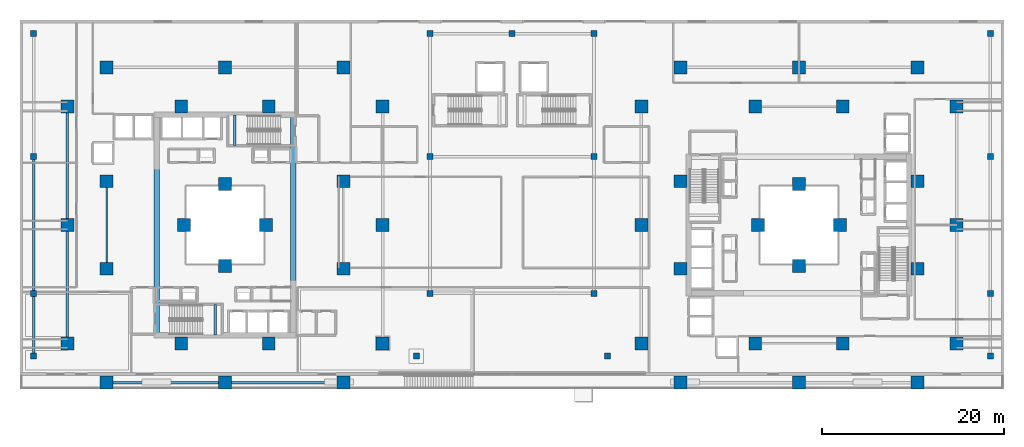
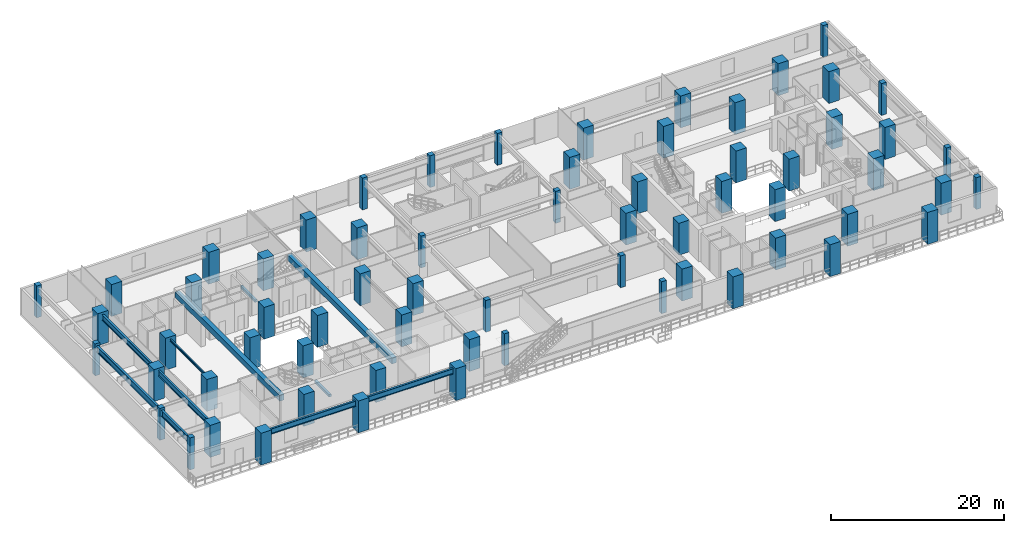
# One storey, part 1 of 22: 65 columns, 11 beams.
"""IFC4 building model written with IfcOpenShell, lengths in metres."""

from ifc_helpers import new_model, si_unit, direction, frame, origin, origin_2d, place, context, subcontext, project, spatial, rectangle, i_section, extrude, material, material_profile, profile_set, type_object, element, save


model = new_model("IFC4")

# Units and contexts
model_context = context("Model", 3, precision=1e-05, world=origin(), true_north=direction((0.0, 1.0)))
body_context = subcontext(model_context, "Body", "Model", "MODEL_VIEW")
ifc_project = project(units=[si_unit("LENGTHUNIT", "METRE"), si_unit("AREAUNIT", "SQUARE_METRE"), si_unit("VOLUMEUNIT", "CUBIC_METRE"), si_unit("PLANEANGLEUNIT", "RADIAN"), si_unit("MASSUNIT", "GRAM", prefix="KILO")], contexts=[model_context])

# Site, building, storey
site_placement = place(None, origin())
site = spatial("IfcSite", under=ifc_project, at=site_placement, CompositionType="ELEMENT")
building_placement = place(site_placement, origin())
building = spatial("IfcBuilding", under=site, at=building_placement, Name="Thornwick Lancets Civic Towers", CompositionType="ELEMENT")
storey_placement = place(building_placement, frame((0.0, 0.0, 18.60009765625)))
storey = spatial("IfcBuildingStorey", under=building, at=storey_placement, Name="L04", CompositionType="ELEMENT", Elevation=18.60009765625)

# Columns
ifc_material_1 = material(Name="Concrete C60/75", Category="concrete")
ifc_material_profile_1 = material_profile(ifc_material_1, rectangle(XDim=1.39990234375, YDim=1.39990234375, at=origin_2d()), Name="RC 1400x1400")
ifc_profile_set_1 = profile_set([ifc_material_profile_1], Name="Concrete C60/75")
column_type_1 = type_object("IfcColumnType", Name="COL_RC_1400", PredefinedType="COLUMN", material=ifc_profile_set_1)
for number, where, z_axis, x_axis, name in (
    (1, (12.5, 9.699951171875, 0.0), (0.0, 0.0, 1.0), (1.0, 0.0, 0.0), "L04 Spine Mega-Column A01"),
    (2, (25.5, 9.699951171875, 0.0), (0.0, 0.0, 1.0), (1.0, 0.0, 0.0), "L04 Spine Mega-Column A02"),
    (3, (38.5, 9.699951171875, 0.0), (0.0, 0.0, 1.0), (1.0, 0.0, 0.0), "L04 Spine Mega-Column A03"),
    (4, (42.800048828125, 14.0, 0.0), (0.0, 0.0, 1.0), (1.0, 0.0, 0.0), "L04 Spine Mega-Column A04"),
    (5, (42.800048828125, 27.0, 0.0), (0.0, 0.0, 1.0), (1.0, 0.0, 0.0), "L04 Spine Mega-Column A05"),
    (6, (42.800048828125, 40.0, 0.0), (0.0, 0.0, 1.0), (1.0, 0.0, 0.0), "L04 Spine Mega-Column A06"),
    (7, (12.5, 44.300048828125, 0.0), (0.0, 0.0, 1.0), (1.0, 0.0, 0.0), "L04 Spine Mega-Column A07"),
    (8, (25.5, 44.300048828125, 0.0), (0.0, 0.0, 1.0), (1.0, 0.0, 0.0), "L04 Spine Mega-Column A08"),
    (9, (38.5, 44.300048828125, 0.0), (0.0, 0.0, 1.0), (1.0, 0.0, 0.0), "L04 Spine Mega-Column A09"),
    (10, (8.199951171875, 14.0, 0.0), (0.0, 0.0, 1.0), (1.0, 0.0, 0.0), "L04 Spine Mega-Column A10"),
    (11, (8.199951171875, 27.0, 0.0), (0.0, 0.0, 1.0), (1.0, 0.0, 0.0), "L04 Spine Mega-Column A11"),
    (12, (8.199951171875, 40.0, 0.0), (0.0, 0.0, 1.0), (1.0, 0.0, 0.0), "L04 Spine Mega-Column A12"),
    (13, (12.5, 22.199951171875, 0.0), (0.0, 0.0, 1.0), (1.0, 0.0, 0.0), "L04 Spine Mega-Column A13"),
    (14, (38.5, 22.199951171875, 0.0), (0.0, 0.0, 1.0), (1.0, 0.0, 0.0), "L04 Spine Mega-Column A14"),
    (15, (12.5, 31.800048828125, 0.0), (0.0, 0.0, 1.0), (1.0, 0.0, 0.0), "L04 Spine Mega-Column A15"),
    (16, (38.5, 31.800048828125, 0.0), (0.0, 0.0, 1.0), (1.0, 0.0, 0.0), "L04 Spine Mega-Column A16"),
    (17, (20.699951171875, 14.0, 0.0), (0.0, 0.0, 1.0), (1.0, 0.0, 0.0), "L04 Spine Mega-Column A17"),
    (18, (30.300048828125, 14.0, 0.0), (0.0, 0.0, 1.0), (1.0, 0.0, 0.0), "L04 Spine Mega-Column A18"),
    (19, (20.699951171875, 40.0, 0.0), (0.0, 0.0, 1.0), (1.0, 0.0, 0.0), "L04 Spine Mega-Column A19"),
    (20, (30.300048828125, 40.0, 0.0), (0.0, 0.0, 1.0), (1.0, 0.0, 0.0), "L04 Spine Mega-Column A20"),
    (21, (25.5, 22.5, 0.0), (0.0, 0.0, 1.0), (1.0, 0.0, 0.0), "L04 Spine Mega-Column A21"),
    (22, (25.5, 31.5, 0.0), (0.0, 0.0, 1.0), (1.0, 0.0, 0.0), "L04 Spine Mega-Column A22"),
    (23, (21.0, 27.0, 0.0), (0.0, 0.0, 1.0), (1.0, 0.0, 0.0), "L04 Spine Mega-Column A23"),
    (24, (30.0, 27.0, 0.0), (0.0, 0.0, 1.0), (1.0, 0.0, 0.0), "L04 Spine Mega-Column A24"),
    (25, (105.800048828125, 14.0, 0.0), (0.0, 0.0, 1.0), (1.0, 0.0, 0.0), "L04 Spine Mega-Column B01"),
    (26, (105.800048828125, 27.0, 0.0), (0.0, 0.0, 1.0), (1.0, 0.0, 0.0), "L04 Spine Mega-Column B02"),
    (27, (105.800048828125, 40.0, 0.0), (0.0, 0.0, 1.0), (1.0, 0.0, 0.0), "L04 Spine Mega-Column B03"),
    (28, (101.5, 44.300048828125, 0.0), (0.0, 0.0, 1.0), (1.0, 0.0, 0.0), "L04 Spine Mega-Column B04"),
    (29, (88.5, 44.300048828125, 0.0), (0.0, 0.0, 1.0), (1.0, 0.0, 0.0), "L04 Spine Mega-Column B05"),
    (30, (75.5, 44.300048828125, 0.0), (0.0, 0.0, 1.0), (1.0, 0.0, 0.0), "L04 Spine Mega-Column B06"),
    (31, (71.199951171875, 14.0, 0.0), (0.0, 0.0, 1.0), (1.0, 0.0, 0.0), "L04 Spine Mega-Column B07"),
    (32, (71.199951171875, 27.0, 0.0), (0.0, 0.0, 1.0), (1.0, 0.0, 0.0), "L04 Spine Mega-Column B08"),
    (33, (71.199951171875, 40.0, 0.0), (0.0, 0.0, 1.0), (1.0, 0.0, 0.0), "L04 Spine Mega-Column B09"),
    (34, (101.5, 9.699951171875, 0.0), (0.0, 0.0, 1.0), (1.0, 0.0, 0.0), "L04 Spine Mega-Column B10"),
    (35, (88.5, 9.699951171875, 0.0), (0.0, 0.0, 1.0), (1.0, 0.0, 0.0), "L04 Spine Mega-Column B11"),
    (36, (75.5, 9.699951171875, 0.0), (0.0, 0.0, 1.0), (1.0, 0.0, 0.0), "L04 Spine Mega-Column B12"),
    (37, (93.300048828125, 14.0, 0.0), (0.0, 0.0, 1.0), (1.0, 0.0, 0.0), "L04 Spine Mega-Column B13"),
    (38, (93.300048828125, 40.0, 0.0), (0.0, 0.0, 1.0), (1.0, 0.0, 0.0), "L04 Spine Mega-Column B14"),
    (39, (83.699951171875, 14.0, 0.0), (0.0, 0.0, 1.0), (1.0, 0.0, 0.0), "L04 Spine Mega-Column B15"),
    (40, (83.699951171875, 40.0, 0.0), (0.0, 0.0, 1.0), (1.0, 0.0, 0.0), "L04 Spine Mega-Column B16"),
    (41, (101.5, 22.199951171875, 0.0), (0.0, 0.0, 1.0), (1.0, 0.0, 0.0), "L04 Spine Mega-Column B17"),
    (42, (101.5, 31.800048828125, 0.0), (0.0, 0.0, 1.0), (1.0, 0.0, 0.0), "L04 Spine Mega-Column B18"),
    (43, (75.5, 22.199951171875, 0.0), (0.0, 0.0, 1.0), (1.0, 0.0, 0.0), "L04 Spine Mega-Column B19"),
    (44, (75.5, 31.800048828125, 0.0), (0.0, 0.0, 1.0), (1.0, 0.0, 0.0), "L04 Spine Mega-Column B20"),
    (45, (93.0, 27.0, 0.0), (0.0, 0.0, 1.0), (1.0, 0.0, 0.0), "L04 Spine Mega-Column B21"),
    (46, (84.0, 27.0, 0.0), (0.0, 0.0, 1.0), (1.0, 0.0, 0.0), "L04 Spine Mega-Column B22"),
    (47, (88.5, 22.5, 0.0), (0.0, 0.0, 1.0), (1.0, 0.0, 0.0), "L04 Spine Mega-Column B23"),
    (48, (88.5, 31.5, 0.0), (0.0, 0.0, 1.0), (1.0, 0.0, 0.0), "L04 Spine Mega-Column B24"),
):
    element("IfcColumn", number, at=place(storey_placement, frame(where, z_axis=z_axis, x_axis=x_axis)), inside=storey, type_object=column_type_1, Name=name, PredefinedType="COLUMN", context=body_context, shape_type="SweptSolid", body=[
        extrude(rectangle(XDim=1.39990234375, YDim=1.39990234375, at=origin_2d()), origin(), (0.0, 0.0, 1.0), 4.5),
    ])
ifc_material_2 = material(Name="Concrete C40/50", Category="concrete")
ifc_material_profile_2 = material_profile(ifc_material_2, rectangle(XDim=0.64990234375, YDim=0.64990234375, at=origin_2d()), Name="RC 650x650")
ifc_profile_set_2 = profile_set([ifc_material_profile_2], Name="Concrete C40/50")
column_type_2 = type_object("IfcColumnType", Name="COL_RC_650", PredefinedType="COLUMN", material=ifc_profile_set_2)
for number, where, z_axis, x_axis, name in (
    (49, (4.5, 12.60009765625, 0.0), (0.0, 0.0, 1.0), (1.0, 0.0, 0.0), "L04 Podium Column P07"),
    (50, (46.5, 12.60009765625, 0.0), (0.0, 0.0, 1.0), (1.0, 0.0, 0.0), "L04 Podium Column P08"),
    (51, (67.5, 12.60009765625, 0.0), (0.0, 0.0, 1.0), (1.0, 0.0, 0.0), "L04 Podium Column P09"),
    (52, (109.5, 12.60009765625, 0.0), (0.0, 0.0, 1.0), (1.0, 0.0, 0.0), "L04 Podium Column P10"),
    (53, (4.5, 19.5, 0.0), (0.0, 0.0, 1.0), (1.0, 0.0, 0.0), "L04 Podium Column P11"),
    (54, (4.5, 34.5, 0.0), (0.0, 0.0, 1.0), (1.0, 0.0, 0.0), "L04 Podium Column P12"),
    (55, (4.5, 48.0, 0.0), (0.0, 0.0, 1.0), (1.0, 0.0, 0.0), "L04 Podium Column P13"),
    (56, (48.0, 19.5, 0.0), (0.0, 0.0, 1.0), (1.0, 0.0, 0.0), "L04 Podium Column P14"),
    (57, (66.0, 19.5, 0.0), (0.0, 0.0, 1.0), (1.0, 0.0, 0.0), "L04 Podium Column P15"),
    (58, (48.0, 34.5, 0.0), (0.0, 0.0, 1.0), (1.0, 0.0, 0.0), "L04 Podium Column P16"),
    (59, (66.0, 34.5, 0.0), (0.0, 0.0, 1.0), (1.0, 0.0, 0.0), "L04 Podium Column P17"),
    (60, (48.0, 48.0, 0.0), (0.0, 0.0, 1.0), (1.0, 0.0, 0.0), "L04 Podium Column P18"),
    (61, (57.0, 48.0, 0.0), (0.0, 0.0, 1.0), (1.0, 0.0, 0.0), "L04 Podium Column P19"),
    (62, (66.0, 48.0, 0.0), (0.0, 0.0, 1.0), (1.0, 0.0, 0.0), "L04 Podium Column P20"),
    (63, (109.5, 19.5, 0.0), (0.0, 0.0, 1.0), (1.0, 0.0, 0.0), "L04 Podium Column P21"),
    (64, (109.5, 34.5, 0.0), (0.0, 0.0, 1.0), (1.0, 0.0, 0.0), "L04 Podium Column P22"),
    (65, (109.5, 48.0, 0.0), (0.0, 0.0, 1.0), (1.0, 0.0, 0.0), "L04 Podium Column P23"),
):
    element("IfcColumn", number, at=place(storey_placement, frame(where, z_axis=z_axis, x_axis=x_axis)), inside=storey, type_object=column_type_2, Name=name, PredefinedType="COLUMN", context=body_context, shape_type="SweptSolid", body=[
        extrude(rectangle(XDim=0.64990234375, YDim=0.64990234375, at=origin_2d()), origin(), (0.0, 0.0, 1.0), 4.5),
    ])

# Beams
ifc_material_profile_3 = material_profile(ifc_material_1, rectangle(XDim=0.60009765625, YDim=0.800048828125, at=origin_2d()), Name="RC 600x800")
ifc_profile_set_3 = profile_set([ifc_material_profile_3], Name="Concrete C60/75")
beam_type_1 = type_object("IfcBeamType", Name="BM_COUP_RC800", PredefinedType="BEAM", material=ifc_profile_set_3)
for number, where, z_axis, x_axis, name in (
    (66, (33.0, 14.89990234375, 3.77978515625), (0.0, 1.0, 0.0), (-1.0, 0.0, 0.0), "CB-L04-A1"),
    (67, (18.0, 14.89990234375, 3.77978515625), (0.0, 1.0, 0.0), (-1.0, 0.0, 0.0), "CB-L04-A2"),
):
    element("IfcBeam", number, at=place(storey_placement, frame(where, z_axis=z_axis, x_axis=x_axis)), inside=storey, type_object=beam_type_1, Name=name, PredefinedType="BEAM", context=body_context, shape_type="SweptSolid", body=[
        extrude(rectangle(XDim=0.60009765625, YDim=0.800048828125, at=origin_2d()), origin(), (0.0, 0.0, 1.0), 24.2001953125),
    ])
ifc_material_3 = material(Name="Steel S355JR", Category="steel")
ifc_material_profile_4 = material_profile(ifc_material_3, i_section(OverallWidth=0.26806640625, OverallDepth=0.769775390625, WebThickness=0.015625, FlangeThickness=0.025390625, FilletRadius=0.0166015625, at=origin_2d()), Name="UKB 762x267x197")
ifc_profile_set_4 = profile_set([ifc_material_profile_4], Name="Steel S355JR")
beam_type_2 = type_object("IfcBeamType", Name="BM_GIRD_762_197", PredefinedType="BEAM", material=ifc_profile_set_4)
beam_1_placement = place(storey_placement, frame((12.5, 9.699951171875, 3.794921875), z_axis=(1.0, 0.0, 0.0), x_axis=(0.0, 1.0, 0.0)))
element("IfcBeam", 68, at=beam_1_placement, inside=storey, type_object=beam_type_2, Name="BM-SPINE-L04-A-0-1", PredefinedType="BEAM", context=body_context, shape_type="SweptSolid", body=[
    extrude(i_section(OverallWidth=0.26806640625, OverallDepth=0.769775390625, WebThickness=0.015625, FlangeThickness=0.025390625, FilletRadius=0.0166015625, at=origin_2d()), origin(), (0.0, 0.0, 1.0), 13.0),
])
beam_2_placement = place(storey_placement, frame((25.580078125, 9.699951171875, 3.794921875), z_axis=(1.0, 0.0, 0.0), x_axis=(0.0, 1.0, 0.0)))
element("IfcBeam", 69, at=beam_2_placement, inside=storey, type_object=beam_type_2, Name="BM-SPINE-L04-A-1-2", PredefinedType="BEAM", context=body_context, shape_type="SweptSolid", body=[
    extrude(i_section(OverallWidth=0.26806640625, OverallDepth=0.769775390625, WebThickness=0.015625, FlangeThickness=0.025390625, FilletRadius=0.0166015625, at=origin_2d()), origin(), (0.0, 0.0, 1.0), 12.919921875),
])
beam_3_placement = place(storey_placement, frame((8.199951171875, 14.0, 3.794921875), z_axis=(0.0, 1.0, 0.0), x_axis=(-1.0, 0.0, 0.0)))
element("IfcBeam", 70, at=beam_3_placement, inside=storey, type_object=beam_type_2, Name="BM-SPINE-L04-A-9-10", PredefinedType="BEAM", context=body_context, shape_type="SweptSolid", body=[
    extrude(i_section(OverallWidth=0.26806640625, OverallDepth=0.769775390625, WebThickness=0.015625, FlangeThickness=0.025390625, FilletRadius=0.0166015625, at=origin_2d()), origin(), (0.0, 0.0, 1.0), 13.0),
])
beam_4_placement = place(storey_placement, frame((8.199951171875, 27.080078125, 3.794921875), z_axis=(0.0, 1.0, 0.0), x_axis=(-1.0, 0.0, 0.0)))
element("IfcBeam", 71, at=beam_4_placement, inside=storey, type_object=beam_type_2, Name="BM-SPINE-L04-A-10-11", PredefinedType="BEAM", context=body_context, shape_type="SweptSolid", body=[
    extrude(i_section(OverallWidth=0.26806640625, OverallDepth=0.769775390625, WebThickness=0.015625, FlangeThickness=0.025390625, FilletRadius=0.0166015625, at=origin_2d()), origin(), (0.0, 0.0, 1.0), 12.919921875),
])
ifc_material_profile_5 = material_profile(ifc_material_3, i_section(OverallWidth=0.1669921875, OverallDepth=0.310302734375, WebThickness=0.0078125, FlangeThickness=0.013671875, FilletRadius=0.0087890625, at=origin_2d()), Name="UKB 305x165x54")
ifc_profile_set_5 = profile_set([ifc_material_profile_5], Name="Steel S355JR")
beam_type_3 = type_object("IfcBeamType", Name="BM_LINTEL_305_54", PredefinedType="LINTEL", material=ifc_profile_set_5)
beam_5_placement = place(storey_placement, frame((12.5, 22.199951171875, 4.024658203125), z_axis=(0.0, 1.0, 0.0), x_axis=(-1.0, 0.0, 0.0)))
element("IfcBeam", 72, at=beam_5_placement, inside=storey, type_object=beam_type_3, Name="BM-INSP-L04-A-0-2", PredefinedType="LINTEL", context=body_context, shape_type="SweptSolid", body=[
    extrude(i_section(OverallWidth=0.1669921875, OverallDepth=0.310302734375, WebThickness=0.0078125, FlangeThickness=0.013671875, FilletRadius=0.0087890625, at=origin_2d()), origin(), (0.0, 0.0, 1.0), 9.60009765625),
])
ifc_material_profile_6 = material_profile(ifc_material_3, i_section(OverallWidth=0.293701171875, OverallDepth=0.850830078125, WebThickness=0.01611328125, FlangeThickness=0.02685546875, FilletRadius=0.017822265625, at=origin_2d()), Name="UKB 838x292x226")
ifc_profile_set_6 = profile_set([ifc_material_profile_6], Name="Steel S355JR")
beam_type_4 = type_object("IfcBeamType", Name="BM_POD_838_226", PredefinedType="BEAM", material=ifc_profile_set_6)
beam_6_placement = place(storey_placement, frame((4.5, 12.60009765625, 3.75439453125), z_axis=(0.0, 1.0, 0.0), x_axis=(-1.0, 0.0, 0.0)))
element("IfcBeam", 73, at=beam_6_placement, inside=storey, type_object=beam_type_4, Name="BM-PODG-L04-0-4", PredefinedType="BEAM", context=body_context, shape_type="SweptSolid", body=[
    extrude(i_section(OverallWidth=0.293701171875, OverallDepth=0.850830078125, WebThickness=0.01611328125, FlangeThickness=0.02685546875, FilletRadius=0.017822265625, at=origin_2d()), origin(), (0.0, 0.0, 1.0), 6.89990234375),
])
beam_7_placement = place(storey_placement, frame((4.5, 19.580078125, 3.75439453125), z_axis=(0.0, 1.0, 0.0), x_axis=(-1.0, 0.0, 0.0)))
element("IfcBeam", 74, at=beam_7_placement, inside=storey, type_object=beam_type_4, Name="BM-PODG-L04-4-5", PredefinedType="BEAM", context=body_context, shape_type="SweptSolid", body=[
    extrude(i_section(OverallWidth=0.293701171875, OverallDepth=0.850830078125, WebThickness=0.01611328125, FlangeThickness=0.02685546875, FilletRadius=0.017822265625, at=origin_2d()), origin(), (0.0, 0.0, 1.0), 14.919921875),
])
ifc_material_profile_7 = material_profile(ifc_material_2, rectangle(XDim=0.300048828125, YDim=0.35009765625, at=origin_2d()), Name="RC 300x350")
ifc_profile_set_7 = profile_set([ifc_material_profile_7], Name="Concrete C40/50")
beam_type_5 = type_object("IfcBeamType", Name="BM_STAIR_LDG", PredefinedType="BEAM", material=ifc_profile_set_7)
for number, where, z_axis, x_axis, name in (
    (75, (24.43505859375, 14.89990234375, 1.827880859375), (0.0, 1.0, 0.0), (-1.0, 0.0, 0.0), "L04 ST-A1 Landing Support Beam 1"),
    (76, (26.56494140625, 39.10009765625, 1.827880859375), (0.0, -1.0, 0.0), (1.0, 0.0, 0.0), "L04 ST-A2 Landing Support Beam 1"),
):
    element("IfcBeam", number, at=place(storey_placement, frame(where, z_axis=z_axis, x_axis=x_axis)), inside=storey, type_object=beam_type_5, Name=name, PredefinedType="BEAM", context=body_context, shape_type="SweptSolid", body=[
        extrude(rectangle(XDim=0.300048828125, YDim=0.35009765625, at=origin_2d()), origin(), (0.0, 0.0, 1.0), 3.400146484375),
    ])

save(model, "model.ifc")
